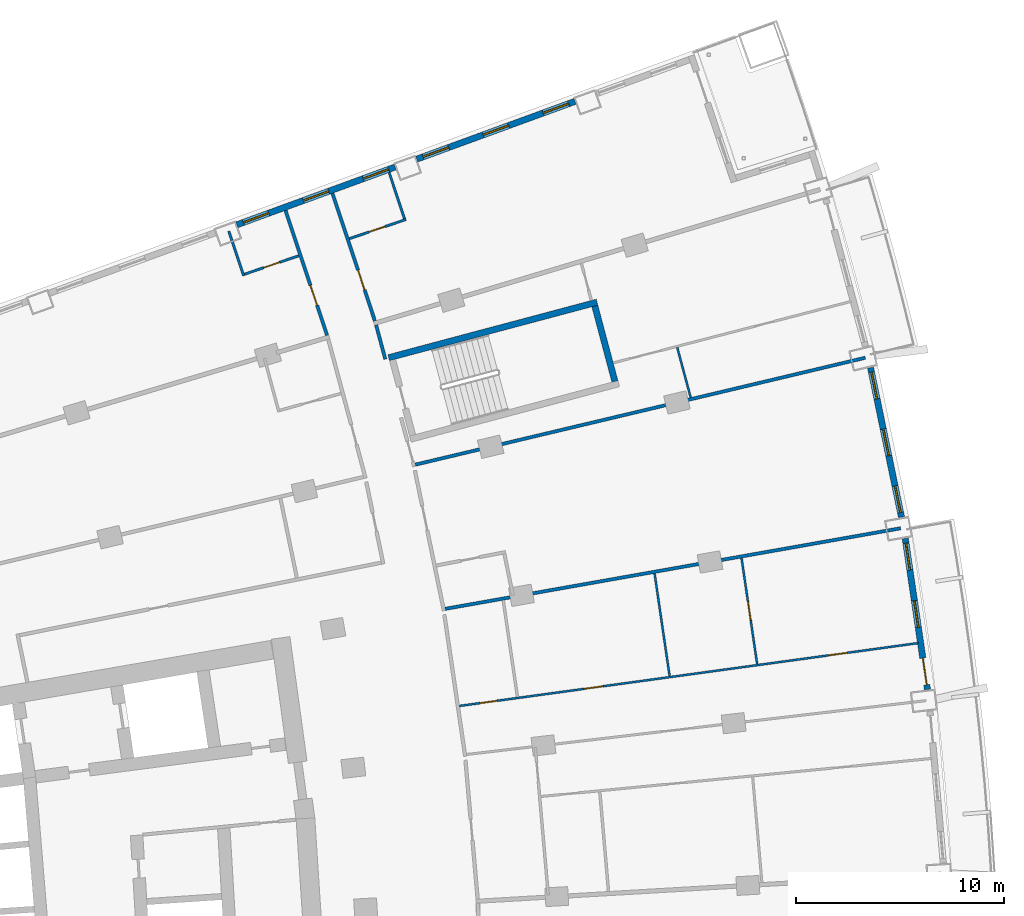
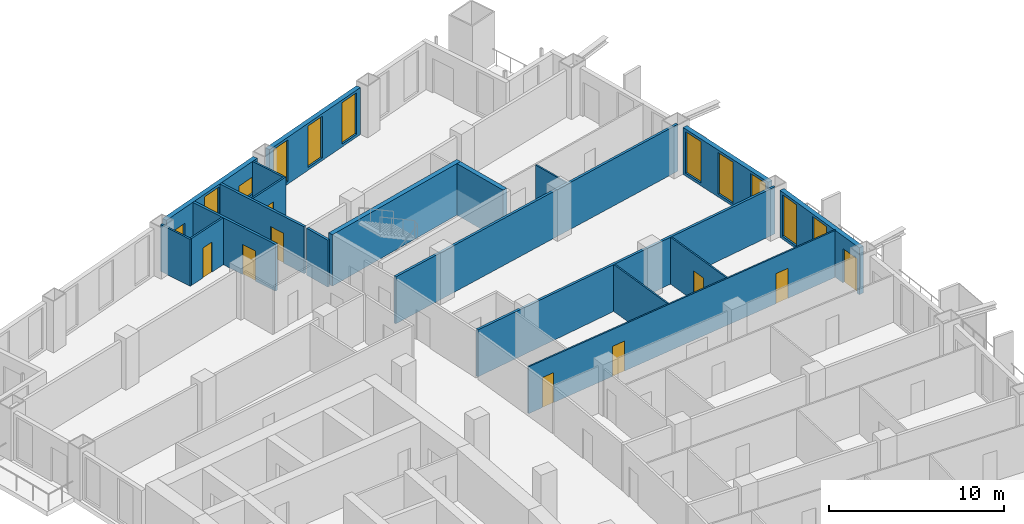
# One storey, part 20 of 25: 19 walls, 11 windows, 9 doors, 20 openings.
"""IFC4 building model written with IfcOpenShell, lengths in metres."""

from ifc_helpers import new_model, si_unit, direction, frame, frame_2d, origin, place, context, subcontext, project, spatial, rectangle, extrude, material, layer, layer_set, type_object, element, fill, save


model = new_model("IFC4")

# Units and contexts
model_context = context("Model", 3, precision=1e-05, world=origin(), true_north=direction((0.0, 1.0)))
body_context = subcontext(model_context, "Body", "Model", "MODEL_VIEW")
ifc_project = project(units=[si_unit("LENGTHUNIT", "METRE"), si_unit("AREAUNIT", "SQUARE_METRE"), si_unit("VOLUMEUNIT", "CUBIC_METRE"), si_unit("PLANEANGLEUNIT", "RADIAN"), si_unit("MASSUNIT", "GRAM", prefix="KILO")], contexts=[model_context])

# Site, building, storey
site_placement = place(None, origin())
site = spatial("IfcSite", under=ifc_project, at=site_placement, CompositionType="ELEMENT")
building_placement = place(site_placement, origin())
building = spatial("IfcBuilding", under=site, at=building_placement, Name="Alderwake Tower", CompositionType="ELEMENT")
storey_placement = place(building_placement, frame((0.0, 0.0, 35.60009765625)))
storey = spatial("IfcBuildingStorey", under=building, at=storey_placement, Name="L07", CompositionType="ELEMENT", Elevation=35.60009765625)

# Walls
ifc_material_1 = material(Name="Concrete C70/85", Category="concrete")
ifc_layer_1 = layer(ifc_material_1, 0.300048828125)
ifc_layer_set_1 = layer_set([ifc_layer_1], Name="Core wall stair enclosure 300 C70-85")
wall_type_1 = type_object("IfcWallType", Name="Core wall stair enclosure 300 C70-85", PredefinedType="SHEAR", material=ifc_layer_set_1)
wall_1_placement = place(storey_placement, frame((36.71142578125, 94.182373046875, 0.0), z_axis=(0.0, 0.0, 1.0), x_axis=(0.966309214305, 0.257383958996, 0.0)))
element("IfcWall", 1, at=wall_1_placement, inside=storey, type_object=wall_type_1, Name="Core wall CW.082", PredefinedType="SHEAR", context=body_context, shape_type="SweptSolid", body=[
    extrude(rectangle(XDim=10.360107421875, YDim=0.300048828125, at=frame_2d((5.18017578125, 0.0))), origin(), (0.0, 0.0, 1.0), 3.599853515625),
])
wall_2_placement = place(storey_placement, frame((47.581298828125, 93.041748046875, 0.0), z_axis=(0.0, 0.0, 1.0), x_axis=(-0.257366821694, 0.966313778796, 0.0)))
element("IfcWall", 2, at=wall_2_placement, inside=storey, type_object=wall_type_1, Name="Core wall CW.081", PredefinedType="SHEAR", context=body_context, shape_type="SweptSolid", body=[
    extrude(rectangle(XDim=3.749755859375, YDim=0.300048828125, at=frame_2d((1.875, 0.0))), origin(), (0.0, 0.0, 1.0), 3.599853515625),
])

# Wall, opening, door
ifc_material_2 = material(Name="Gypsum board on metal studs, rated")
ifc_layer_2 = layer(ifc_material_2, 0.159912109375)
ifc_layer_set_2 = layer_set([ifc_layer_2], Name="Corridor wall 160")
wall_type_2 = type_object("IfcWallType", Name="Corridor wall 160", PredefinedType="PARTITIONING", material=ifc_layer_set_2)
wall_3_placement = place(storey_placement, frame((33.75146484375, 95.2548828125, 0.0), z_axis=(0.0, 0.0, 1.0), x_axis=(-0.315406156735, 0.948956772616, 0.0)))
wall_3 = element("IfcWall", 3, at=wall_3_placement, inside=storey, type_object=wall_type_2, Name="WL/L07/W20", PredefinedType="PARTITIONING", context=body_context, shape_type="SweptSolid", body=[
    extrude(rectangle(XDim=6.330078125, YDim=0.159912109375, at=frame_2d((3.1650390625, 0.0))), origin(), (0.0, 0.0, 1.0), 3.27978515625),
])
opening_1_placement = place(wall_3_placement, frame((1.529052734375, 0.0, 0.0)))
opening_1 = element("IfcOpeningElement", 4, at=opening_1_placement, cuts=wall_3, Name="Opening R01-U13.1", PredefinedType="OPENING", context=body_context, shape_type="SweptSolid", body=[
    extrude(rectangle(XDim=1.0, YDim=2.10009765625, at=frame_2d((0.5, 1.050048828125))), frame((0.0, 0.08984375, 0.0), z_axis=(0.0, -1.0, 0.0), x_axis=(1.0, 0.0, 0.0)), (0.0, 0.0, 1.0), 0.179931640625),
])
ifc_material_3 = material(Name="Solid timber leaf in steel frame", Category="steel")
door_type_1 = type_object("IfcDoorType", Name="Flat entrance door 1000 fire-rated", OperationType="SINGLE_SWING_LEFT", PredefinedType="DOOR", material=ifc_material_3)
door_1_placement = place(opening_1_placement, origin())
door_1 = element("IfcDoor", 5, at=door_1_placement, inside=storey, type_object=door_type_1, Name="DR/L07/U13.1", OperationType="SINGLE_SWING_LEFT", OverallHeight=2.10009765625, OverallWidth=1.0, PredefinedType="DOOR", context=body_context, shape_type="SweptSolid", body=[
    extrude(rectangle(XDim=1.0, YDim=2.10009765625, at=frame_2d((0.5, 1.050048828125))), frame((0.0, 0.02490234375, 0.0), z_axis=(0.0, -1.0, 0.0), x_axis=(1.0, 0.0, 0.0)), (0.0, 0.0, 1.0), 0.050048828125),
])
fill(opening_1, door_1)

wall_4_placement = place(storey_placement, frame((34.010986328125, 102.083984375, 0.0), z_axis=(0.0, 0.0, 1.0), x_axis=(0.315140606423, -0.949044992708, 0.0)))
wall_4 = element("IfcWall", 6, at=wall_4_placement, inside=storey, type_object=wall_type_2, Name="WL/L07/W28", PredefinedType="PARTITIONING", context=body_context, shape_type="SweptSolid", body=[
    extrude(rectangle(XDim=6.46875, YDim=0.159912109375, at=frame_2d((3.234375, 0.0))), origin(), (0.0, 0.0, 1.0), 3.27978515625),
])
opening_2_placement = place(wall_4_placement, frame((3.897705078125, 0.0, 0.0)))
opening_2 = element("IfcOpeningElement", 7, at=opening_2_placement, cuts=wall_4, Name="Opening R01-U04.1", PredefinedType="OPENING", context=body_context, shape_type="SweptSolid", body=[
    extrude(rectangle(XDim=1.0, YDim=2.10009765625, at=frame_2d((0.5, 1.050048828125))), frame((0.0, 0.08984375, 0.0), z_axis=(0.0, -1.0, 0.0), x_axis=(1.0, 0.0, 0.0)), (0.0, 0.0, 1.0), 0.179931640625),
])
door_2_placement = place(opening_2_placement, origin())
door_2 = element("IfcDoor", 8, at=door_2_placement, inside=storey, type_object=door_type_1, Name="DR/L07/U04.1", OperationType="SINGLE_SWING_LEFT", OverallHeight=2.10009765625, OverallWidth=1.0, PredefinedType="DOOR", context=body_context, shape_type="SweptSolid", body=[
    extrude(rectangle(XDim=1.0, YDim=2.10009765625, at=frame_2d((0.5, 1.050048828125))), frame((0.0, 0.02490234375, 0.0), z_axis=(0.0, -1.0, 0.0), x_axis=(1.0, 0.0, 0.0)), (0.0, 0.0, 1.0), 0.050048828125),
])
fill(opening_2, door_2)

# Walls
wall_5_placement = place(storey_placement, frame((36.549072265625, 94.110107421875, 0.0), z_axis=(0.0, 0.0, 1.0), x_axis=(-0.259813977097, 0.965658685719, 0.0)))
element("IfcWall", 9, at=wall_5_placement, inside=storey, type_object=wall_type_2, Name="WL/L07/W31", PredefinedType="PARTITIONING", context=body_context, shape_type="SweptSolid", body=[
    extrude(rectangle(XDim=1.70166015625, YDim=0.159912109375, at=frame_2d((0.850830078125, 0.0))), origin(), (0.0, 0.0, 1.0), 3.27978515625),
])
wall_6_placement = place(storey_placement, frame((37.994873046875, 89.04345703125, 0.0), z_axis=(0.0, 0.0, 1.0), x_axis=(0.972917524401, 0.231152526947, 0.0)))
element("IfcWall", 10, at=wall_6_placement, inside=storey, type_object=wall_type_2, Name="WL/L07/W35", PredefinedType="PARTITIONING", context=body_context, shape_type="SweptSolid", body=[
    extrude(rectangle(XDim=22.217041015625, YDim=0.159912109375, at=frame_2d((11.1083984375, 0.0))), origin(), (0.0, 0.0, 1.0), 3.27978515625),
])
wall_7_placement = place(storey_placement, frame((61.30810546875, 85.986083984375, 0.0), z_axis=(0.0, 0.0, 1.0), x_axis=(-0.984708919739, -0.174207759259, 0.0)))
element("IfcWall", 11, at=wall_7_placement, inside=storey, type_object=wall_type_2, Name="WL/L07/W43", PredefinedType="PARTITIONING", context=body_context, shape_type="SweptSolid", body=[
    extrude(rectangle(XDim=22.22119140625, YDim=0.159912109375, at=frame_2d((11.110595703125, 0.0))), origin(), (0.0, 0.0, 1.0), 3.27978515625),
])

# Wall, openings, door, windows
ifc_material_4 = material(Name="Precast concrete C50/60 spandrel panel", Category="concrete")
ifc_layer_3 = layer(ifc_material_4, 0.300048828125)
ifc_layer_set_3 = layer_set([ifc_layer_3], Name="External wall EW1 Precast concrete C50/60 spandrel")
wall_type_3 = type_object("IfcWallType", Name="External wall EW1 Precast concrete C50/60 spandrel", PredefinedType="SOLIDWALL", material=ifc_layer_set_3)
wall_8_placement = place(storey_placement, frame((62.59716796875, 78.240234375, 0.0), z_axis=(0.0, 0.0, 1.0), x_axis=(-0.145300273639, 0.989387603763, 0.0)))
wall_8 = element("IfcWall", 12, at=wall_8_placement, inside=storey, type_object=wall_type_3, Name="External wall 19", PredefinedType="SOLIDWALL", context=body_context, shape_type="SweptSolid", body=[
    extrude(rectangle(XDim=7.329345703125, YDim=0.300048828125, at=frame_2d((3.66455078125, 0.0))), origin(), (0.0, 0.0, 1.0), 3.27978515625),
])
opening_3_placement = place(wall_8_placement, frame((0.226806640625, 0.0, 0.0)))
opening_3 = element("IfcOpeningElement", 13, at=opening_3_placement, cuts=wall_8, Name="Opening D10", PredefinedType="OPENING", context=body_context, shape_type="SweptSolid", body=[
    extrude(rectangle(XDim=1.300048828125, YDim=2.39990234375, at=frame_2d((0.64990234375, 1.199951171875))), frame((0.0, 0.159912109375, 0.0), z_axis=(0.0, -1.0, 0.0), x_axis=(1.0, 0.0, 0.0)), (0.0, 0.0, 1.0), 0.320068359375),
])
opening_4_placement = place(wall_8_placement, frame((3.0146484375, 0.0, 0.199951171875)))
opening_4 = element("IfcOpeningElement", 14, at=opening_4_placement, cuts=wall_8, Name="Opening W1", PredefinedType="OPENING", context=body_context, shape_type="SweptSolid", body=[
    extrude(rectangle(XDim=1.300048828125, YDim=2.89990234375, at=frame_2d((0.64990234375, 1.449951171875))), frame((0.0, 0.159912109375, 0.0), z_axis=(0.0, -1.0, 0.0), x_axis=(1.0, 0.0, 0.0)), (0.0, 0.0, 1.0), 0.320068359375),
])
opening_5_placement = place(wall_8_placement, frame((5.802490234375, 0.0, 0.199951171875)))
opening_5 = element("IfcOpeningElement", 15, at=opening_5_placement, cuts=wall_8, Name="Opening W1", PredefinedType="OPENING", context=body_context, shape_type="SweptSolid", body=[
    extrude(rectangle(XDim=1.300048828125, YDim=2.89990234375, at=frame_2d((0.64990234375, 1.449951171875))), frame((0.0, 0.159912109375, 0.0), z_axis=(0.0, -1.0, 0.0), x_axis=(1.0, 0.0, 0.0)), (0.0, 0.0, 1.0), 0.320068359375),
])
ifc_material_5 = material(Name="Bronze tinted glass in aluminium frame", Category="aluminium")
door_type_2 = type_object("IfcDoorType", Name="Balcony door BD sliding", OperationType="SLIDING_TO_LEFT", PredefinedType="DOOR", material=ifc_material_5)
door_3_placement = place(opening_3_placement, origin())
door_3 = element("IfcDoor", 16, at=door_3_placement, inside=storey, type_object=door_type_2, Name="Door D10", OperationType="SLIDING_TO_LEFT", OverallHeight=2.39990234375, OverallWidth=1.300048828125, PredefinedType="DOOR", context=body_context, shape_type="SweptSolid", body=[
    extrude(rectangle(XDim=1.300048828125, YDim=2.39990234375, at=frame_2d((0.64990234375, 1.199951171875))), frame((0.0, 0.02490234375, 0.0), z_axis=(0.0, -1.0, 0.0), x_axis=(1.0, 0.0, 0.0)), (0.0, 0.0, 1.0), 0.050048828125),
])
fill(opening_3, door_3)
ifc_material_6 = material(Name="Bronze tinted glass in aluminium frame", Category="aluminium")
window_type_1 = type_object("IfcWindowType", Name="Window W1 tall fixed and vent", PartitioningType="DOUBLE_PANEL_VERTICAL", PredefinedType="WINDOW", material=ifc_material_6)
window_1_placement = place(opening_4_placement, origin())
window_1 = element("IfcWindow", 17, at=window_1_placement, inside=storey, type_object=window_type_1, Name="Window W1 tall fixed and vent", OverallHeight=2.89990234375, OverallWidth=1.300048828125, PartitioningType="DOUBLE_PANEL_VERTICAL", PredefinedType="WINDOW", context=body_context, shape_type="SweptSolid", body=[
    extrude(rectangle(XDim=1.300048828125, YDim=2.89990234375, at=frame_2d((0.64990234375, 1.449951171875))), frame((0.0, 0.030029296875, 0.0), z_axis=(0.0, -1.0, 0.0), x_axis=(1.0, 0.0, 0.0)), (0.0, 0.0, 1.0), 0.06005859375),
])
fill(opening_4, window_1)
window_2_placement = place(opening_5_placement, origin())
window_2 = element("IfcWindow", 18, at=window_2_placement, inside=storey, type_object=window_type_1, Name="Window W1 tall fixed and vent", OverallHeight=2.89990234375, OverallWidth=1.300048828125, PartitioningType="DOUBLE_PANEL_VERTICAL", PredefinedType="WINDOW", context=body_context, shape_type="SweptSolid", body=[
    extrude(rectangle(XDim=1.300048828125, YDim=2.89990234375, at=frame_2d((0.64990234375, 1.449951171875))), frame((0.0, 0.030029296875, 0.0), z_axis=(0.0, -1.0, 0.0), x_axis=(1.0, 0.0, 0.0)), (0.0, 0.0, 1.0), 0.06005859375),
])
fill(opening_5, window_2)

# Wall, openings, windows
wall_9_placement = place(storey_placement, frame((61.349609375, 86.5244140625, 0.0), z_axis=(0.0, 0.0, 1.0), x_axis=(-0.202760911141, 0.979228274159, 0.0)))
wall_9 = element("IfcWall", 19, at=wall_9_placement, inside=storey, type_object=wall_type_3, Name="External wall 20", PredefinedType="SOLIDWALL", context=body_context, shape_type="SweptSolid", body=[
    extrude(rectangle(XDim=7.329345703125, YDim=0.300048828125, at=frame_2d((3.66455078125, 0.0))), origin(), (0.0, 0.0, 1.0), 3.27978515625),
])
opening_6_placement = place(wall_9_placement, frame((0.226806640625, 0.0, 0.199951171875)))
opening_6 = element("IfcOpeningElement", 20, at=opening_6_placement, cuts=wall_9, Name="Opening W1", PredefinedType="OPENING", context=body_context, shape_type="SweptSolid", body=[
    extrude(rectangle(XDim=1.300048828125, YDim=2.89990234375, at=frame_2d((0.64990234375, 1.449951171875))), frame((0.0, 0.159912109375, 0.0), z_axis=(0.0, -1.0, 0.0), x_axis=(1.0, 0.0, 0.0)), (0.0, 0.0, 1.0), 0.320068359375),
])
opening_7_placement = place(wall_9_placement, frame((3.0146484375, 0.0, 0.199951171875)))
opening_7 = element("IfcOpeningElement", 21, at=opening_7_placement, cuts=wall_9, Name="Opening W1", PredefinedType="OPENING", context=body_context, shape_type="SweptSolid", body=[
    extrude(rectangle(XDim=1.300048828125, YDim=2.89990234375, at=frame_2d((0.64990234375, 1.449951171875))), frame((0.0, 0.159912109375, 0.0), z_axis=(0.0, -1.0, 0.0), x_axis=(1.0, 0.0, 0.0)), (0.0, 0.0, 1.0), 0.320068359375),
])
opening_8_placement = place(wall_9_placement, frame((5.802490234375, 0.0, 0.199951171875)))
opening_8 = element("IfcOpeningElement", 22, at=opening_8_placement, cuts=wall_9, Name="Opening W1", PredefinedType="OPENING", context=body_context, shape_type="SweptSolid", body=[
    extrude(rectangle(XDim=1.300048828125, YDim=2.89990234375, at=frame_2d((0.64990234375, 1.449951171875))), frame((0.0, 0.159912109375, 0.0), z_axis=(0.0, -1.0, 0.0), x_axis=(1.0, 0.0, 0.0)), (0.0, 0.0, 1.0), 0.320068359375),
])
window_3_placement = place(opening_6_placement, origin())
window_3 = element("IfcWindow", 23, at=window_3_placement, inside=storey, type_object=window_type_1, Name="Window W1 tall fixed and vent", OverallHeight=2.89990234375, OverallWidth=1.300048828125, PartitioningType="DOUBLE_PANEL_VERTICAL", PredefinedType="WINDOW", context=body_context, shape_type="SweptSolid", body=[
    extrude(rectangle(XDim=1.300048828125, YDim=2.89990234375, at=frame_2d((0.64990234375, 1.449951171875))), frame((0.0, 0.030029296875, 0.0), z_axis=(0.0, -1.0, 0.0), x_axis=(1.0, 0.0, 0.0)), (0.0, 0.0, 1.0), 0.06005859375),
])
fill(opening_6, window_3)
window_4_placement = place(opening_7_placement, origin())
window_4 = element("IfcWindow", 24, at=window_4_placement, inside=storey, type_object=window_type_1, Name="Window W1 tall fixed and vent", OverallHeight=2.89990234375, OverallWidth=1.300048828125, PartitioningType="DOUBLE_PANEL_VERTICAL", PredefinedType="WINDOW", context=body_context, shape_type="SweptSolid", body=[
    extrude(rectangle(XDim=1.300048828125, YDim=2.89990234375, at=frame_2d((0.64990234375, 1.449951171875))), frame((0.0, 0.030029296875, 0.0), z_axis=(0.0, -1.0, 0.0), x_axis=(1.0, 0.0, 0.0)), (0.0, 0.0, 1.0), 0.06005859375),
])
fill(opening_7, window_4)
window_5_placement = place(opening_8_placement, origin())
window_5 = element("IfcWindow", 25, at=window_5_placement, inside=storey, type_object=window_type_1, Name="Window W1 tall fixed and vent", OverallHeight=2.89990234375, OverallWidth=1.300048828125, PartitioningType="DOUBLE_PANEL_VERTICAL", PredefinedType="WINDOW", context=body_context, shape_type="SweptSolid", body=[
    extrude(rectangle(XDim=1.300048828125, YDim=2.89990234375, at=frame_2d((0.64990234375, 1.449951171875))), frame((0.0, 0.030029296875, 0.0), z_axis=(0.0, -1.0, 0.0), x_axis=(1.0, 0.0, 0.0)), (0.0, 0.0, 1.0), 0.06005859375),
])
fill(opening_8, window_5)

ifc_material_7 = material(Name="Bronze metal cladding on lightweight framing")
ifc_layer_4 = layer(ifc_material_7, 0.300048828125)
ifc_layer_set_4 = layer_set([ifc_layer_4], Name="External wall EW2 bronze metal cladding")
wall_type_4 = type_object("IfcWallType", Name="External wall EW2 bronze metal cladding", PredefinedType="SOLIDWALL", material=ifc_layer_set_4)
wall_10_placement = place(storey_placement, frame((45.6640625, 106.498291015625, 0.0), z_axis=(0.0, 0.0, 1.0), x_axis=(-0.939382451577, -0.342871126912, 0.0)))
wall_10 = element("IfcWall", 26, at=wall_10_placement, inside=storey, type_object=wall_type_4, Name="External wall 26", PredefinedType="SOLIDWALL", context=body_context, shape_type="SweptSolid", body=[
    extrude(rectangle(XDim=8.095947265625, YDim=0.300048828125, at=frame_2d((4.0478515625, 0.0))), origin(), (0.0, 0.0, 1.0), 3.27978515625),
])
opening_9_placement = place(wall_10_placement, frame((0.331298828125, 0.0, 0.199951171875)))
opening_9 = element("IfcOpeningElement", 27, at=opening_9_placement, cuts=wall_10, Name="Opening W1", PredefinedType="OPENING", context=body_context, shape_type="SweptSolid", body=[
    extrude(rectangle(XDim=1.300048828125, YDim=2.89990234375, at=frame_2d((0.64990234375, 1.449951171875))), frame((0.0, 0.159912109375, 0.0), z_axis=(0.0, -1.0, 0.0), x_axis=(1.0, 0.0, 0.0)), (0.0, 0.0, 1.0), 0.320068359375),
])
opening_10_placement = place(wall_10_placement, frame((3.39794921875, 0.0, 0.199951171875)))
opening_10 = element("IfcOpeningElement", 28, at=opening_10_placement, cuts=wall_10, Name="Opening W1", PredefinedType="OPENING", context=body_context, shape_type="SweptSolid", body=[
    extrude(rectangle(XDim=1.300048828125, YDim=2.89990234375, at=frame_2d((0.64990234375, 1.449951171875))), frame((0.0, 0.159912109375, 0.0), z_axis=(0.0, -1.0, 0.0), x_axis=(1.0, 0.0, 0.0)), (0.0, 0.0, 1.0), 0.320068359375),
])
opening_11_placement = place(wall_10_placement, frame((6.464599609375, 0.0, 0.199951171875)))
opening_11 = element("IfcOpeningElement", 29, at=opening_11_placement, cuts=wall_10, Name="Opening W1", PredefinedType="OPENING", context=body_context, shape_type="SweptSolid", body=[
    extrude(rectangle(XDim=1.300048828125, YDim=2.89990234375, at=frame_2d((0.64990234375, 1.449951171875))), frame((0.0, 0.159912109375, 0.0), z_axis=(0.0, -1.0, 0.0), x_axis=(1.0, 0.0, 0.0)), (0.0, 0.0, 1.0), 0.320068359375),
])
window_6_placement = place(opening_9_placement, origin())
window_6 = element("IfcWindow", 30, at=window_6_placement, inside=storey, type_object=window_type_1, Name="Window W1 tall fixed and vent", OverallHeight=2.89990234375, OverallWidth=1.300048828125, PartitioningType="DOUBLE_PANEL_VERTICAL", PredefinedType="WINDOW", context=body_context, shape_type="SweptSolid", body=[
    extrude(rectangle(XDim=1.300048828125, YDim=2.89990234375, at=frame_2d((0.64990234375, 1.449951171875))), frame((0.0, 0.030029296875, 0.0), z_axis=(0.0, -1.0, 0.0), x_axis=(1.0, 0.0, 0.0)), (0.0, 0.0, 1.0), 0.06005859375),
])
fill(opening_9, window_6)
window_7_placement = place(opening_10_placement, origin())
window_7 = element("IfcWindow", 31, at=window_7_placement, inside=storey, type_object=window_type_1, Name="Window W1 tall fixed and vent", OverallHeight=2.89990234375, OverallWidth=1.300048828125, PartitioningType="DOUBLE_PANEL_VERTICAL", PredefinedType="WINDOW", context=body_context, shape_type="SweptSolid", body=[
    extrude(rectangle(XDim=1.300048828125, YDim=2.89990234375, at=frame_2d((0.64990234375, 1.449951171875))), frame((0.0, 0.030029296875, 0.0), z_axis=(0.0, -1.0, 0.0), x_axis=(1.0, 0.0, 0.0)), (0.0, 0.0, 1.0), 0.06005859375),
])
fill(opening_10, window_7)
window_8_placement = place(opening_11_placement, origin())
window_8 = element("IfcWindow", 32, at=window_8_placement, inside=storey, type_object=window_type_1, Name="Window W1 tall fixed and vent", OverallHeight=2.89990234375, OverallWidth=1.300048828125, PartitioningType="DOUBLE_PANEL_VERTICAL", PredefinedType="WINDOW", context=body_context, shape_type="SweptSolid", body=[
    extrude(rectangle(XDim=1.300048828125, YDim=2.89990234375, at=frame_2d((0.64990234375, 1.449951171875))), frame((0.0, 0.030029296875, 0.0), z_axis=(0.0, -1.0, 0.0), x_axis=(1.0, 0.0, 0.0)), (0.0, 0.0, 1.0), 0.06005859375),
])
fill(opening_11, window_8)

wall_11_placement = place(storey_placement, frame((37.021484375, 103.343505859375, 0.0), z_axis=(0.0, 0.0, 1.0), x_axis=(-0.939375360712, -0.34289055351, 0.0)))
wall_11 = element("IfcWall", 33, at=wall_11_placement, inside=storey, type_object=wall_type_4, Name="External wall 27", PredefinedType="SOLIDWALL", context=body_context, shape_type="SweptSolid", body=[
    extrude(rectangle(XDim=8.095458984375, YDim=0.300048828125, at=frame_2d((4.0478515625, 0.0))), origin(), (0.0, 0.0, 1.0), 3.27978515625),
])
opening_12_placement = place(wall_11_placement, frame((0.331298828125, 0.0, 1.0)))
opening_12 = element("IfcOpeningElement", 34, at=opening_12_placement, cuts=wall_11, Name="Opening W2", PredefinedType="OPENING", context=body_context, shape_type="SweptSolid", body=[
    extrude(rectangle(XDim=1.300048828125, YDim=1.199951171875, at=frame_2d((0.64990234375, 0.60009765625))), frame((0.0, 0.159912109375, 0.0), z_axis=(0.0, -1.0, 0.0), x_axis=(1.0, 0.0, 0.0)), (0.0, 0.0, 1.0), 0.320068359375),
])
opening_13_placement = place(wall_11_placement, frame((3.39794921875, 0.0, 0.199951171875)))
opening_13 = element("IfcOpeningElement", 35, at=opening_13_placement, cuts=wall_11, Name="Opening W1", PredefinedType="OPENING", context=body_context, shape_type="SweptSolid", body=[
    extrude(rectangle(XDim=1.300048828125, YDim=2.89990234375, at=frame_2d((0.64990234375, 1.449951171875))), frame((0.0, 0.159912109375, 0.0), z_axis=(0.0, -1.0, 0.0), x_axis=(1.0, 0.0, 0.0)), (0.0, 0.0, 1.0), 0.320068359375),
])
opening_14_placement = place(wall_11_placement, frame((6.464599609375, 0.0, 1.0)))
opening_14 = element("IfcOpeningElement", 36, at=opening_14_placement, cuts=wall_11, Name="Opening W2", PredefinedType="OPENING", context=body_context, shape_type="SweptSolid", body=[
    extrude(rectangle(XDim=1.300048828125, YDim=1.199951171875, at=frame_2d((0.64990234375, 0.60009765625))), frame((0.0, 0.159912109375, 0.0), z_axis=(0.0, -1.0, 0.0), x_axis=(1.0, 0.0, 0.0)), (0.0, 0.0, 1.0), 0.320068359375),
])
window_9_placement = place(opening_13_placement, origin())
window_9 = element("IfcWindow", 37, at=window_9_placement, inside=storey, type_object=window_type_1, Name="Window W1 tall fixed and vent", OverallHeight=2.89990234375, OverallWidth=1.300048828125, PartitioningType="DOUBLE_PANEL_VERTICAL", PredefinedType="WINDOW", context=body_context, shape_type="SweptSolid", body=[
    extrude(rectangle(XDim=1.300048828125, YDim=2.89990234375, at=frame_2d((0.64990234375, 1.449951171875))), frame((0.0, 0.030029296875, 0.0), z_axis=(0.0, -1.0, 0.0), x_axis=(1.0, 0.0, 0.0)), (0.0, 0.0, 1.0), 0.06005859375),
])
fill(opening_13, window_9)
ifc_material_8 = material(Name="Bronze tinted glass in aluminium frame", Category="aluminium")
window_type_2 = type_object("IfcWindowType", Name="Window W2 kitchen and bath", PartitioningType="SINGLE_PANEL", PredefinedType="WINDOW", material=ifc_material_8)
window_10_placement = place(opening_12_placement, origin())
window_10 = element("IfcWindow", 38, at=window_10_placement, inside=storey, type_object=window_type_2, Name="Window W2 kitchen and bath", OverallHeight=1.199951171875, OverallWidth=1.300048828125, PartitioningType="SINGLE_PANEL", PredefinedType="WINDOW", context=body_context, shape_type="SweptSolid", body=[
    extrude(rectangle(XDim=1.300048828125, YDim=1.199951171875, at=frame_2d((0.64990234375, 0.60009765625))), frame((0.0, 0.030029296875, 0.0), z_axis=(0.0, -1.0, 0.0), x_axis=(1.0, 0.0, 0.0)), (0.0, 0.0, 1.0), 0.06005859375),
])
fill(opening_12, window_10)
window_11_placement = place(opening_14_placement, origin())
window_11 = element("IfcWindow", 39, at=window_11_placement, inside=storey, type_object=window_type_2, Name="Window W2 kitchen and bath", OverallHeight=1.199951171875, OverallWidth=1.300048828125, PartitioningType="SINGLE_PANEL", PredefinedType="WINDOW", context=body_context, shape_type="SweptSolid", body=[
    extrude(rectangle(XDim=1.300048828125, YDim=1.199951171875, at=frame_2d((0.64990234375, 0.60009765625))), frame((0.0, 0.030029296875, 0.0), z_axis=(0.0, -1.0, 0.0), x_axis=(1.0, 0.0, 0.0)), (0.0, 0.0, 1.0), 0.06005859375),
])
fill(opening_14, window_11)

# Wall, openings, doors
ifc_material_9 = material(Name="Gypsum board on metal studs")
ifc_layer_5 = layer(ifc_material_9, 0.10009765625)
ifc_layer_set_5 = layer_set([ifc_layer_5], Name="Unit partition 100")
wall_type_5 = type_object("IfcWallType", Name="Unit partition 100", PredefinedType="PARTITIONING", material=ifc_layer_set_5)
wall_12_placement = place(storey_placement, frame((40.1142578125, 77.449951171875, 0.0), z_axis=(0.0, 0.0, 1.0), x_axis=(0.990742667714, 0.135753329137, 0.0)))
wall_12 = element("IfcWall", 40, at=wall_12_placement, inside=storey, type_object=wall_type_5, Name="WL/L07/W68", PredefinedType="PARTITIONING", context=body_context, shape_type="SweptSolid", body=[
    extrude(rectangle(XDim=22.2607421875, YDim=0.10009765625, at=frame_2d((11.13037109375, 0.0))), origin(), (0.0, 0.0, 1.0), 3.27978515625),
])
opening_15_placement = place(wall_12_placement, frame((6.0576171875, 0.0, 0.0)))
opening_15 = element("IfcOpeningElement", 41, at=opening_15_placement, cuts=wall_12, Name="Opening R01-U09.6", PredefinedType="OPENING", context=body_context, shape_type="SweptSolid", body=[
    extrude(rectangle(XDim=0.89990234375, YDim=2.10009765625, at=frame_2d((0.449951171875, 1.050048828125))), frame((0.0, 0.06005859375, 0.0), z_axis=(0.0, -1.0, 0.0), x_axis=(1.0, 0.0, 0.0)), (0.0, 0.0, 1.0), 0.1201171875),
])
opening_16_placement = place(wall_12_placement, frame((1.0087890625, 0.0, 0.0)))
opening_16 = element("IfcOpeningElement", 42, at=opening_16_placement, cuts=wall_12, Name="Opening R01-U09.7", PredefinedType="OPENING", context=body_context, shape_type="SweptSolid", body=[
    extrude(rectangle(XDim=0.800048828125, YDim=2.10009765625, at=frame_2d((0.39990234375, 1.050048828125))), frame((0.0, 0.06005859375, 0.0), z_axis=(0.0, -1.0, 0.0), x_axis=(1.0, 0.0, 0.0)), (0.0, 0.0, 1.0), 0.1201171875),
])
opening_17_placement = place(wall_12_placement, frame((17.901123046875, 0.0, 0.0)))
opening_17 = element("IfcOpeningElement", 43, at=opening_17_placement, cuts=wall_12, Name="Opening R01-U09.8", PredefinedType="OPENING", context=body_context, shape_type="SweptSolid", body=[
    extrude(rectangle(XDim=0.89990234375, YDim=2.10009765625, at=frame_2d((0.449951171875, 1.050048828125))), frame((0.0, 0.06005859375, 0.0), z_axis=(0.0, -1.0, 0.0), x_axis=(1.0, 0.0, 0.0)), (0.0, 0.0, 1.0), 0.1201171875),
])
ifc_material_10 = material(Name="Painted timber leaf", Category="wood")
door_type_3 = type_object("IfcDoorType", Name="Bathroom door 800", OperationType="SINGLE_SWING_LEFT", PredefinedType="DOOR", material=ifc_material_10)
door_4_placement = place(opening_16_placement, origin())
door_4 = element("IfcDoor", 44, at=door_4_placement, inside=storey, type_object=door_type_3, Name="DR/L07/U09.7", OperationType="SINGLE_SWING_LEFT", OverallHeight=2.10009765625, OverallWidth=0.800048828125, PredefinedType="DOOR", context=body_context, shape_type="SweptSolid", body=[
    extrude(rectangle(XDim=0.800048828125, YDim=2.10009765625, at=frame_2d((0.39990234375, 1.050048828125))), frame((0.0, 0.02490234375, 0.0), z_axis=(0.0, -1.0, 0.0), x_axis=(1.0, 0.0, 0.0)), (0.0, 0.0, 1.0), 0.050048828125),
])
fill(opening_16, door_4)
ifc_material_11 = material(Name="Painted timber leaf", Category="wood")
door_type_4 = type_object("IfcDoorType", Name="Room door 900", OperationType="SINGLE_SWING_LEFT", PredefinedType="DOOR", material=ifc_material_11)
door_5_placement = place(opening_15_placement, origin())
door_5 = element("IfcDoor", 45, at=door_5_placement, inside=storey, type_object=door_type_4, Name="DR/L07/U09.6", OperationType="SINGLE_SWING_LEFT", OverallHeight=2.10009765625, OverallWidth=0.89990234375, PredefinedType="DOOR", context=body_context, shape_type="SweptSolid", body=[
    extrude(rectangle(XDim=0.89990234375, YDim=2.10009765625, at=frame_2d((0.449951171875, 1.050048828125))), frame((0.0, 0.02490234375, 0.0), z_axis=(0.0, -1.0, 0.0), x_axis=(1.0, 0.0, 0.0)), (0.0, 0.0, 1.0), 0.050048828125),
])
fill(opening_15, door_5)
door_6_placement = place(opening_17_placement, origin())
door_6 = element("IfcDoor", 46, at=door_6_placement, inside=storey, type_object=door_type_4, Name="DR/L07/U09.8", OperationType="SINGLE_SWING_LEFT", OverallHeight=2.10009765625, OverallWidth=0.89990234375, PredefinedType="DOOR", context=body_context, shape_type="SweptSolid", body=[
    extrude(rectangle(XDim=0.89990234375, YDim=2.10009765625, at=frame_2d((0.449951171875, 1.050048828125))), frame((0.0, 0.02490234375, 0.0), z_axis=(0.0, -1.0, 0.0), x_axis=(1.0, 0.0, 0.0)), (0.0, 0.0, 1.0), 0.050048828125),
])
fill(opening_17, door_6)

# Walls
wall_13_placement = place(storey_placement, frame((50.209716796875, 78.883544921875, 0.0), z_axis=(0.0, 0.0, 1.0), x_axis=(-0.144960667826, 0.989437418326, 0.0)))
element("IfcWall", 47, at=wall_13_placement, inside=storey, type_object=wall_type_5, Name="WL/L07/W78", PredefinedType="PARTITIONING", context=body_context, shape_type="SweptSolid", body=[
    extrude(rectangle(XDim=4.98193359375, YDim=0.10009765625, at=frame_2d((2.490966796875, 0.0))), origin(), (0.0, 0.0, 1.0), 3.27978515625),
])
wall_14_placement = place(storey_placement, frame((51.22216796875, 92.267333984375, 0.0), z_axis=(0.0, 0.0, 1.0), x_axis=(-0.259422454938, 0.965763941072, 0.0)))
element("IfcWall", 48, at=wall_14_placement, inside=storey, type_object=wall_type_5, Name="WL/L07/W81", PredefinedType="PARTITIONING", context=body_context, shape_type="SweptSolid", body=[
    extrude(rectangle(XDim=2.494873046875, YDim=0.10009765625, at=frame_2d((1.24755859375, 0.0))), origin(), (0.0, 0.0, 1.0), 3.27978515625),
])

# Wall, opening, door
wall_15_placement = place(storey_placement, frame((54.415771484375, 79.45947265625, 0.0), z_axis=(0.0, 0.0, 1.0), x_axis=(-0.145597790448, 0.989343865103, 0.0)))
wall_15 = element("IfcWall", 49, at=wall_15_placement, inside=storey, type_object=wall_type_5, Name="WL/L07/W86", PredefinedType="PARTITIONING", context=body_context, shape_type="SweptSolid", body=[
    extrude(rectangle(XDim=5.146240234375, YDim=0.10009765625, at=frame_2d((2.5732421875, 0.0))), origin(), (0.0, 0.0, 1.0), 3.27978515625),
])
opening_18_placement = place(wall_15_placement, frame((2.123046875, 0.0, 0.0)))
opening_18 = element("IfcOpeningElement", 50, at=opening_18_placement, cuts=wall_15, Name="Opening R01-U09.9", PredefinedType="OPENING", context=body_context, shape_type="SweptSolid", body=[
    extrude(rectangle(XDim=0.89990234375, YDim=2.10009765625, at=frame_2d((0.449951171875, 1.050048828125))), frame((0.0, 0.06005859375, 0.0), z_axis=(0.0, -1.0, 0.0), x_axis=(1.0, 0.0, 0.0)), (0.0, 0.0, 1.0), 0.1201171875),
])
door_7_placement = place(opening_18_placement, origin())
door_7 = element("IfcDoor", 51, at=door_7_placement, inside=storey, type_object=door_type_4, Name="DR/L07/U09.9", OperationType="SINGLE_SWING_LEFT", OverallHeight=2.10009765625, OverallWidth=0.89990234375, PredefinedType="DOOR", context=body_context, shape_type="SweptSolid", body=[
    extrude(rectangle(XDim=0.89990234375, YDim=2.10009765625, at=frame_2d((0.449951171875, 1.050048828125))), frame((0.0, 0.02490234375, 0.0), z_axis=(0.0, -1.0, 0.0), x_axis=(1.0, 0.0, 0.0)), (0.0, 0.0, 1.0), 0.050048828125),
])
fill(opening_18, door_7)

# Wall
ifc_material_12 = material(Name="Moisture resistant gypsum board on metal studs")
ifc_layer_6 = layer(ifc_material_12, 0.1201171875)
ifc_layer_set_6 = layer_set([ifc_layer_6], Name="Wet room partition 120")
wall_type_6 = type_object("IfcWallType", Name="Wet room partition 120", PredefinedType="PARTITIONING", material=ifc_layer_set_6)
wall_16_placement = place(storey_placement, frame((29.031005859375, 100.26611328125, 0.0), z_axis=(0.0, 0.0, 1.0), x_axis=(0.315774774353, -0.948834175123, 0.0)))
element("IfcWall", 52, at=wall_16_placement, inside=storey, type_object=wall_type_6, Name="WL/L07/W44", PredefinedType="PARTITIONING", context=body_context, shape_type="SweptSolid", body=[
    extrude(rectangle(XDim=2.263671875, YDim=0.1201171875, at=frame_2d((1.1318359375, 0.0))), origin(), (0.0, 0.0, 1.0), 3.27978515625),
])

# Wall, opening, door
wall_17_placement = place(storey_placement, frame((29.78369140625, 98.1943359375, 0.0), z_axis=(0.0, 0.0, 1.0), x_axis=(0.947131995712, 0.320844171989, 0.0)))
wall_17 = element("IfcWall", 53, at=wall_17_placement, inside=storey, type_object=wall_type_6, Name="WL/L07/W46", PredefinedType="PARTITIONING", context=body_context, shape_type="SweptSolid", body=[
    extrude(rectangle(XDim=2.75830078125, YDim=0.1201171875, at=frame_2d((1.379150390625, 0.0))), origin(), (0.0, 0.0, 1.0), 3.27978515625),
])
opening_19_placement = place(wall_17_placement, frame((0.97900390625, 0.0, 0.0)))
opening_19 = element("IfcOpeningElement", 54, at=opening_19_placement, cuts=wall_17, Name="Opening R01-U13.2", PredefinedType="OPENING", context=body_context, shape_type="SweptSolid", body=[
    extrude(rectangle(XDim=0.800048828125, YDim=2.10009765625, at=frame_2d((0.39990234375, 1.050048828125))), frame((0.0, 0.070068359375, 0.0), z_axis=(0.0, -1.0, 0.0), x_axis=(1.0, 0.0, 0.0)), (0.0, 0.0, 1.0), 0.14013671875),
])
door_8_placement = place(opening_19_placement, origin())
door_8 = element("IfcDoor", 55, at=door_8_placement, inside=storey, type_object=door_type_3, Name="DR/L07/U13.2", OperationType="SINGLE_SWING_LEFT", OverallHeight=2.10009765625, OverallWidth=0.800048828125, PredefinedType="DOOR", context=body_context, shape_type="SweptSolid", body=[
    extrude(rectangle(XDim=0.800048828125, YDim=2.10009765625, at=frame_2d((0.39990234375, 1.050048828125))), frame((0.0, 0.02490234375, 0.0), z_axis=(0.0, -1.0, 0.0), x_axis=(1.0, 0.0, 0.0)), (0.0, 0.0, 1.0), 0.050048828125),
])
fill(opening_19, door_8)

wall_18_placement = place(storey_placement, frame((34.81884765625, 99.901611328125, 0.0), z_axis=(0.0, 0.0, 1.0), x_axis=(0.947119631015, 0.32088067026, 0.0)))
wall_18 = element("IfcWall", 56, at=wall_18_placement, inside=storey, type_object=wall_type_6, Name="WL/L07/W52", PredefinedType="PARTITIONING", context=body_context, shape_type="SweptSolid", body=[
    extrude(rectangle(XDim=2.878173828125, YDim=0.1201171875, at=frame_2d((1.43896484375, 0.0))), origin(), (0.0, 0.0, 1.0), 3.27978515625),
])
opening_20_placement = place(wall_18_placement, frame((1.009765625, 0.0, 0.0)))
opening_20 = element("IfcOpeningElement", 57, at=opening_20_placement, cuts=wall_18, Name="Opening R01-U04.2", PredefinedType="OPENING", context=body_context, shape_type="SweptSolid", body=[
    extrude(rectangle(XDim=0.800048828125, YDim=2.10009765625, at=frame_2d((0.39990234375, 1.050048828125))), frame((0.0, 0.070068359375, 0.0), z_axis=(0.0, -1.0, 0.0), x_axis=(1.0, 0.0, 0.0)), (0.0, 0.0, 1.0), 0.14013671875),
])
door_9_placement = place(opening_20_placement, origin())
door_9 = element("IfcDoor", 58, at=door_9_placement, inside=storey, type_object=door_type_3, Name="DR/L07/U04.2", OperationType="SINGLE_SWING_LEFT", OverallHeight=2.10009765625, OverallWidth=0.800048828125, PredefinedType="DOOR", context=body_context, shape_type="SweptSolid", body=[
    extrude(rectangle(XDim=0.800048828125, YDim=2.10009765625, at=frame_2d((0.39990234375, 1.050048828125))), frame((0.0, 0.02490234375, 0.0), z_axis=(0.0, -1.0, 0.0), x_axis=(1.0, 0.0, 0.0)), (0.0, 0.0, 1.0), 0.050048828125),
])
fill(opening_20, door_9)

# Wall
wall_19_placement = place(storey_placement, frame((37.468994140625, 100.863037109375, 0.0), z_axis=(0.0, 0.0, 1.0), x_axis=(-0.314251248963, 0.94933985091, 0.0)))
element("IfcWall", 59, at=wall_19_placement, inside=storey, type_object=wall_type_6, Name="WL/L07/W55", PredefinedType="PARTITIONING", context=body_context, shape_type="SweptSolid", body=[
    extrude(rectangle(XDim=2.33544921875, YDim=0.1201171875, at=frame_2d((1.167724609375, 0.0))), origin(), (0.0, 0.0, 1.0), 3.27978515625),
])

save(model, "model.ifc")
